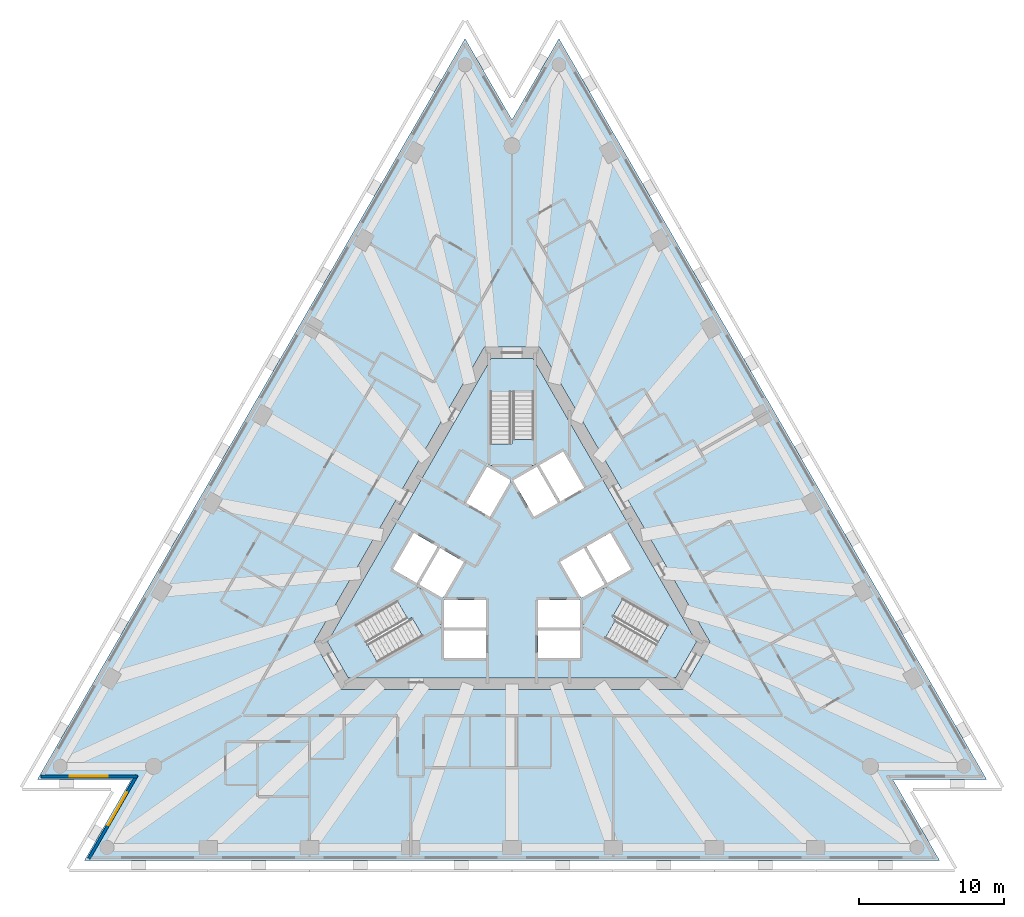
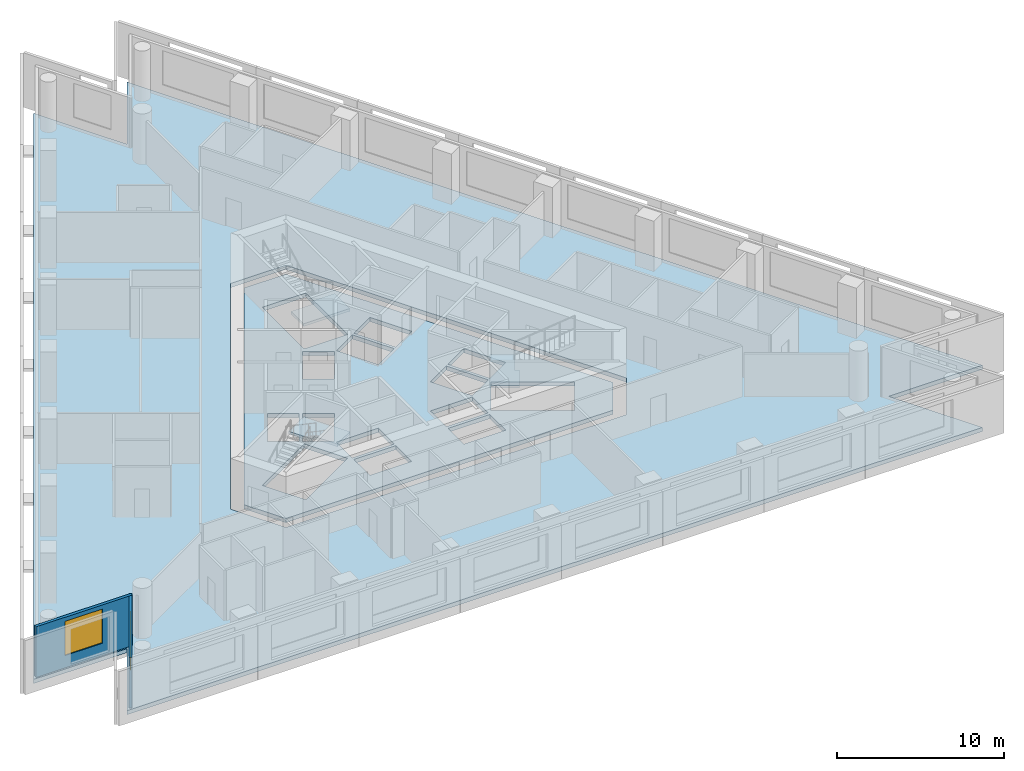
# One storey, part 2 of 10: 5 slabs, 2 walls, 2 windows, 2 openings, 3 elements without a shape of their own.
"""IFC4 building model written with IfcOpenShell, lengths in metres."""

from ifc_helpers import new_model, si_unit, direction, frame, frame_2d, origin, place, context, subcontext, project, spatial, polyline, rectangle, outline, extrude, material, layer, layer_set, layer_usage, type_object, element, fill, aggregate, save


model = new_model("IFC4")

# Units and contexts
model_context = context("Model", 3, precision=1e-05, world=origin(), true_north=direction((0.0, 1.0)))
body_context = subcontext(model_context, "Body", "Model", "MODEL_VIEW")
ifc_project = project(units=[si_unit("LENGTHUNIT", "METRE"), si_unit("AREAUNIT", "SQUARE_METRE"), si_unit("VOLUMEUNIT", "CUBIC_METRE"), si_unit("PLANEANGLEUNIT", "RADIAN"), si_unit("MASSUNIT", "GRAM", prefix="KILO")], contexts=[model_context])

# Site, building, storey
site_placement = place(None, origin())
site = spatial("IfcSite", under=ifc_project, at=site_placement, CompositionType="ELEMENT")
building_placement = place(site_placement, origin())
building = spatial("IfcBuilding", under=site, at=building_placement, Name="Triada Interchange Tower", CompositionType="ELEMENT")
storey_placement = place(building_placement, frame((0.0, 0.0, 112.300048828125)))
storey = spatial("IfcBuildingStorey", under=building, at=storey_placement, Name="L25", CompositionType="ELEMENT", Elevation=112.300048828125)

# Slabs
ifc_material_1 = material(Name="Concrete C50/60", Category="concrete")
ifc_layer_1 = layer(ifc_material_1, 0.300048828125)
ifc_layer_set_1 = layer_set([ifc_layer_1], Name="Floor slab 300")
slab_type_1 = type_object("IfcSlabType", Name="Floor slab 300", PredefinedType="FLOOR", material=ifc_layer_set_1)
slab_1_placement = place(storey_placement, frame((0.0, 0.0, -0.300048828125)))
element("IfcSlab", 1, at=slab_1_placement, inside=storey, type_object=slab_type_1, Name="Floor slab L25", PredefinedType="FLOOR", context=body_context, shape_type="SweptSolid", body=[
    extrude(outline(polyline([(-3.2451171875, 36.012939453125), (-32.81103515625, -15.196044921875), (-26.321044921875, -15.196044921875), (-29.56591796875, -20.81689453125), (29.56591796875, -20.81689453125), (26.321044921875, -15.196044921875), (32.81103515625, -15.196044921875), (3.2451171875, 36.012939453125), (0.0, 30.39306640625), (-3.2451171875, 36.012939453125)]), holes=[polyline([(1.905029296875, 14.699951171875), (-1.905029296875, 14.699951171875), (-13.68310546875, -5.699951171875), (-11.778076171875, -9.0), (11.778076171875, -9.0), (13.68310546875, -5.699951171875), (1.905029296875, 14.699951171875)])]), origin(), (0.0, 0.0, 1.0), 0.300048828125),
])
slab_2_placement = place(storey_placement, frame((0.0, 0.0, -0.300048828125)))
element("IfcSlab", 2, at=slab_2_placement, inside=storey, type_object=slab_type_1, Name="Core floor slab L25 1", PredefinedType="FLOOR", context=body_context, shape_type="SweptSolid", body=[
    extrude(outline(polyline([(12.759033203125, -5.699951171875), (11.31591796875, -8.199951171875), (-11.31591796875, -8.199951171875), (-12.759033203125, -5.699951171875), (-1.443115234375, 13.89990234375), (1.443115234375, 13.89990234375), (12.759033203125, -5.699951171875)]), holes=[polyline([(9.2958984375, -7.09912109375), (10.7958984375, -4.5009765625), (6.466064453125, -2.0009765625), (4.966064453125, -4.59912109375), (9.2958984375, -7.09912109375)]), polyline([(6.7890625, 1.841064453125), (5.14404296875, 0.89111328125), (6.593994140625, -1.6201171875), (8.239013671875, -0.669921875), (6.7890625, 1.841064453125)]), polyline([(4.77490234375, -2.669921875), (6.419921875, -1.719970703125), (4.969970703125, 0.791015625), (3.9150390625, 0.181884765625), (3.324951171875, -0.158935546875), (4.77490234375, -2.669921875)]), polyline([(1.89404296875, 6.52001953125), (3.343994140625, 4.009033203125), (4.989013671875, 4.958984375), (3.5390625, 7.469970703125), (1.89404296875, 6.52001953125)]), polyline([(4.699951171875, -6.800048828125), (4.699951171875, -4.89990234375), (1.800048828125, -4.89990234375), (1.800048828125, -6.800048828125), (4.699951171875, -6.800048828125)]), polyline([(4.699951171875, -2.800048828125), (1.800048828125, -2.800048828125), (1.800048828125, -4.699951171875), (4.699951171875, -4.699951171875), (4.699951171875, -2.800048828125)]), polyline([(0.074951171875, 5.469970703125), (1.52490234375, 2.958984375), (3.169921875, 3.908935546875), (1.719970703125, 6.419921875), (0.074951171875, 5.469970703125)]), polyline([(1.5, 11.60009765625), (-1.5, 11.60009765625), (-1.5, 6.60009765625), (1.5, 6.60009765625), (1.5, 11.60009765625)]), polyline([(-1.52490234375, 2.958984375), (-0.074951171875, 5.469970703125), (-1.719970703125, 6.419921875), (-3.169921875, 3.908935546875), (-1.52490234375, 2.958984375)]), polyline([(-1.800048828125, -2.800048828125), (-4.699951171875, -2.800048828125), (-4.699951171875, -4.699951171875), (-1.800048828125, -4.699951171875), (-1.800048828125, -2.800048828125)]), polyline([(-4.699951171875, -6.800048828125), (-1.800048828125, -6.800048828125), (-1.800048828125, -4.89990234375), (-4.699951171875, -4.89990234375), (-4.699951171875, -6.800048828125)]), polyline([(-4.77490234375, -2.669921875), (-3.324951171875, -0.158935546875), (-4.969970703125, 0.791015625), (-6.419921875, -1.719970703125), (-4.77490234375, -2.669921875)]), polyline([(-10.7958984375, -4.5009765625), (-9.2958984375, -7.09912109375), (-4.966064453125, -4.59912109375), (-6.466064453125, -2.0009765625), (-10.7958984375, -4.5009765625)]), polyline([(-6.593994140625, -1.6201171875), (-5.14404296875, 0.89111328125), (-6.7890625, 1.841064453125), (-8.239013671875, -0.669921875), (-6.593994140625, -1.6201171875)])]), origin(), (0.0, 0.0, 1.0), 0.300048828125),
])

# Stair, slab
ifc_material_2 = material(Name="Concrete C35/45", Category="concrete")
stair_type = type_object("IfcStairType", Name="HALF TURN STAIR 1400", PredefinedType="HALF_TURN_STAIR", material=ifc_material_2)
stair_1_placement = place(storey_placement, origin())
stair_1 = element("IfcStair", 3, at=stair_1_placement, inside=storey, type_object=stair_type, Name="Exit stair S23-1", PredefinedType="HALF_TURN_STAIR")
ifc_layer_2 = layer(ifc_material_2, 0.199951171875)
ifc_layer_set_2 = layer_set([ifc_layer_2], Name="STAIR LANDING 200")
slab_type_2 = type_object("IfcSlabType", Name="STAIR LANDING 200", PredefinedType="LANDING", material=ifc_layer_set_2)
slab_3_placement = place(storey_placement, frame((0.0, 0.0, 1.719970703125)))
slab_3 = element("IfcSlab", 4, at=slab_3_placement, type_object=slab_type_2, Name="S23-1 landing 1", PredefinedType="LANDING", context=body_context, shape_type="SweptSolid", body=[
    extrude(outline(polyline([(1.60009765625, 6.5), (1.60009765625, 8.300048828125), (0.0, 8.300048828125), (0.0, 8.0), (-1.60009765625, 8.0), (-1.60009765625, 6.5), (1.60009765625, 6.5)])), origin(), (0.0, 0.0, 1.0), 0.199951171875),
])
aggregate(stair_1, [slab_3])

stair_2_placement = place(storey_placement, origin())
stair_2 = element("IfcStair", 5, at=stair_2_placement, inside=storey, type_object=stair_type, Name="Exit stair S23-2", PredefinedType="HALF_TURN_STAIR")
slab_4_placement = place(storey_placement, frame((0.0, 0.0, 1.719970703125)))
slab_4 = element("IfcSlab", 6, at=slab_4_placement, type_object=slab_type_2, Name="S23-2 landing 1", PredefinedType="LANDING", context=body_context, shape_type="SweptSolid", body=[
    extrude(outline(polyline([(-6.428955078125, -1.864013671875), (-7.988037109375, -2.763916015625), (-7.18798828125, -4.14990234375), (-6.927978515625, -4.0), (-6.1279296875, -5.385986328125), (-4.8291015625, -4.635986328125), (-6.428955078125, -1.864013671875)])), origin(), (0.0, 0.0, 1.0), 0.199951171875),
])
aggregate(stair_2, [slab_4])

stair_3_placement = place(storey_placement, origin())
stair_3 = element("IfcStair", 7, at=stair_3_placement, inside=storey, type_object=stair_type, Name="Exit stair S23-3", PredefinedType="HALF_TURN_STAIR")
slab_5_placement = place(storey_placement, frame((0.0, 0.0, 1.719970703125)))
slab_5 = element("IfcSlab", 8, at=slab_5_placement, type_object=slab_type_2, Name="S23-3 landing 1", PredefinedType="LANDING", context=body_context, shape_type="SweptSolid", body=[
    extrude(outline(polyline([(4.8291015625, -4.635986328125), (6.387939453125, -5.535888671875), (7.18798828125, -4.14990234375), (6.927978515625, -4.0), (7.72802734375, -2.614013671875), (6.428955078125, -1.864013671875), (4.8291015625, -4.635986328125)])), origin(), (0.0, 0.0, 1.0), 0.199951171875),
])
aggregate(stair_3, [slab_5])

# Wall, opening, window
ifc_material_3 = material(Name="Cement board")
ifc_layer_3 = layer(ifc_material_3, 0.02001953125, Name="Cement board cladding")
ifc_material_4 = material(Name="Sheathing board")
ifc_layer_4 = layer(ifc_material_4, 0.014892578125, Name="Sheathing board")
ifc_material_5 = material(Name="Mineral wool")
ifc_layer_5 = layer(ifc_material_5, 0.14990234375, Name="Mineral wool between steel studs")
ifc_material_6 = material(Name="Gypsum board")
ifc_layer_6 = layer(ifc_material_6, 0.014892578125, Name="Plasterboard lining")
ifc_layer_set_3 = layer_set([ifc_layer_3, ifc_layer_4, ifc_layer_5, ifc_layer_6], Name="External wall 200")
ifc_layer_usage = layer_usage(ifc_layer_set_3, "AXIS2", "POSITIVE", -0.10009765625)
wall_type = type_object("IfcWallType", Name="External wall 200", PredefinedType="ELEMENTEDWALL", material=ifc_layer_set_3)
wall_1_placement = place(storey_placement, frame((-32.554931640625, -14.99609375, 0.0), z_axis=(0.0, 0.0, 1.0), x_axis=(1.0, 0.0, 0.0)))
wall_1 = element("IfcWall", 9, at=wall_1_placement, inside=storey, type_object=wall_type, material=ifc_layer_usage, Name="External wall L25 SW-1", PredefinedType="ELEMENTEDWALL", context=body_context, shape_type="SweptSolid", body=[
    extrude(rectangle(XDim=6.64990234375, YDim=0.199951171875, at=frame_2d((3.324951171875, 0.0))), origin(), (0.0, 0.0, 1.0), 3.699951171875),
])
opening_1_placement = place(wall_1_placement, frame((1.989990234375, 0.0, 0.89990234375)))
opening_1 = element("IfcOpeningElement", 10, at=opening_1_placement, cuts=wall_1, Name="Opening WB09", PredefinedType="OPENING", context=body_context, shape_type="SweptSolid", body=[
    extrude(rectangle(XDim=2.60009765625, YDim=2.5, at=frame_2d((1.300048828125, 1.25))), frame((0.0, 0.10986328125, 0.0), z_axis=(0.0, -1.0, 0.0), x_axis=(1.0, 0.0, 0.0)), (0.0, 0.0, 1.0), 0.219970703125),
])
ifc_material_7 = material(Name="Double glazed aluminium window", Category="aluminium")
window_type = type_object("IfcWindowType", Name="Ribbon window B pocket", PartitioningType="SINGLE_PANEL", PredefinedType="WINDOW", material=ifc_material_7)
window_1_placement = place(opening_1_placement, origin())
window_1 = element("IfcWindow", 11, at=window_1_placement, inside=storey, type_object=window_type, Name="Window L25 SW-1 1", OverallHeight=2.5, OverallWidth=2.60009765625, PartitioningType="SINGLE_PANEL", PredefinedType="WINDOW", context=body_context, shape_type="SweptSolid", body=[
    extrude(rectangle(XDim=2.60009765625, YDim=2.5, at=frame_2d((1.300048828125, 1.25))), frame((0.0, 0.030029296875, 0.0), z_axis=(0.0, -1.0, 0.0), x_axis=(1.0, 0.0, 0.0)), (0.0, 0.0, 1.0), 0.06005859375),
])
fill(opening_1, window_1)

wall_2_placement = place(storey_placement, frame((-25.929931640625, -14.91796875, 0.0), z_axis=(0.0, 0.0, 1.0), x_axis=(-0.499933237632, -0.866063945624, 0.0)))
wall_2 = element("IfcWall", 12, at=wall_2_placement, inside=storey, type_object=wall_type, material=ifc_layer_usage, Name="External wall L25 SW-2", PredefinedType="ELEMENTEDWALL", context=body_context, shape_type="SweptSolid", body=[
    extrude(rectangle(XDim=6.65087890625, YDim=0.199951171875, at=frame_2d((3.325439453125, 0.0))), origin(), (0.0, 0.0, 1.0), 3.699951171875),
])
opening_2_placement = place(wall_2_placement, frame((1.389892578125, 0.0, 0.89990234375)))
opening_2 = element("IfcOpeningElement", 13, at=opening_2_placement, cuts=wall_2, Name="Opening WB10", PredefinedType="OPENING", context=body_context, shape_type="SweptSolid", body=[
    extrude(rectangle(XDim=2.60009765625, YDim=2.5, at=frame_2d((1.300048828125, 1.25))), frame((0.0, 0.10986328125, 0.0), z_axis=(0.0, -1.0, 0.0), x_axis=(1.0, 0.0, 0.0)), (0.0, 0.0, 1.0), 0.219970703125),
])
window_2_placement = place(opening_2_placement, origin())
window_2 = element("IfcWindow", 14, at=window_2_placement, inside=storey, type_object=window_type, Name="Window L25 SW-2 1", OverallHeight=2.5, OverallWidth=2.60009765625, PartitioningType="SINGLE_PANEL", PredefinedType="WINDOW", context=body_context, shape_type="SweptSolid", body=[
    extrude(rectangle(XDim=2.60009765625, YDim=2.5, at=frame_2d((1.300048828125, 1.25))), frame((0.0, 0.030029296875, 0.0), z_axis=(0.0, -1.0, 0.0), x_axis=(1.0, 0.0, 0.0)), (0.0, 0.0, 1.0), 0.06005859375),
])
fill(opening_2, window_2)

save(model, "model.ifc")
